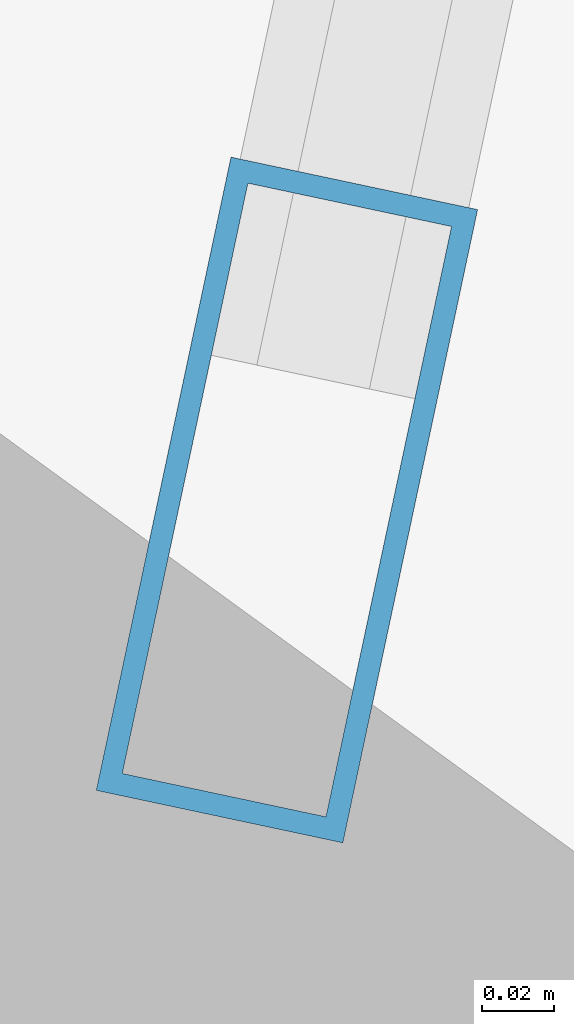
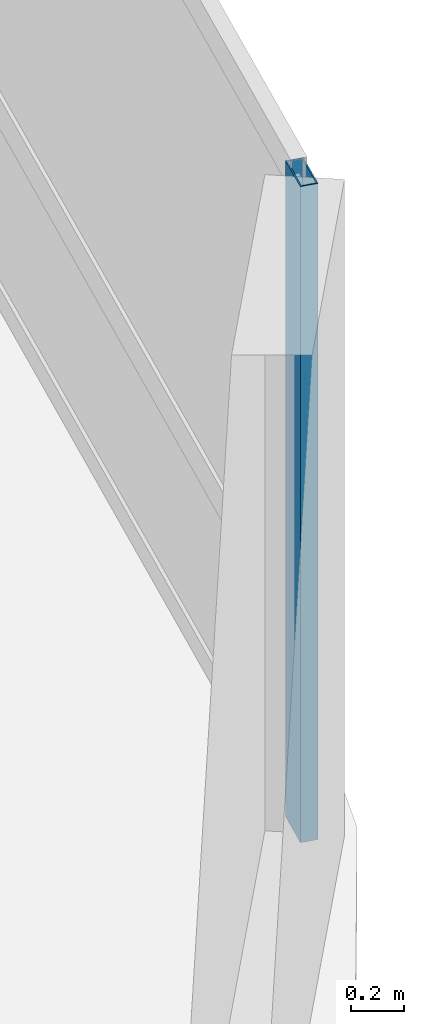
# One storey, part 8 of 17: 1 member, 1 element without a shape of its own.
"""IFC4 building model written with IfcOpenShell, lengths in metres."""

from ifc_helpers import new_model, si_unit, direction, frame, origin, origin_2d, place, context, subcontext, project, spatial, hollow_rectangle, extrude, material, layer, layer_set, material_profile, profile_set, type_object, element, aggregate, save


model = new_model("IFC4")

# Units and contexts
model_context = context("Model", 3, precision=1e-05, world=origin(), true_north=direction((0.0, 1.0)))
body_context = subcontext(model_context, "Body", "Model", "MODEL_VIEW")
ifc_project = project(units=[si_unit("LENGTHUNIT", "METRE"), si_unit("AREAUNIT", "SQUARE_METRE"), si_unit("VOLUMEUNIT", "CUBIC_METRE"), si_unit("PLANEANGLEUNIT", "RADIAN"), si_unit("MASSUNIT", "GRAM", prefix="KILO"), si_unit("THERMODYNAMICTEMPERATUREUNIT", "KELVIN"), si_unit("POWERUNIT", "WATT")], contexts=[model_context])

# Site, building, storey
site_placement = place(None, origin())
site = spatial("IfcSite", under=ifc_project, at=site_placement, CompositionType="ELEMENT")
building_placement = place(site_placement, origin())
building = spatial("IfcBuilding", under=site, at=building_placement, Name="Ocrelia Relay Tower", CompositionType="ELEMENT")
storey_placement = place(building_placement, frame((0.0, 0.0, 34.199951171875)))
storey = spatial("IfcBuildingStorey", under=building, at=storey_placement, Name="L07", CompositionType="ELEMENT", Elevation=34.199951171875)

# Curtain wall, member
ifc_material_1 = material(Name="Aluminium and solar-control low-E glass", Category="aluminium")
ifc_layer = layer(ifc_material_1, 0.179931640625, Name="Aluminium and solar-control low-E glass")
ifc_layer_set = layer_set([ifc_layer], Name="Aluminium and solar-control low-E glass")
curtain_wall_type = type_object("IfcCurtainWallType", Name="CW-SYS-Z1-DATA", PredefinedType="NOTDEFINED", material=ifc_layer_set)
curtain_wall_placement = place(storey_placement, origin())
curtain_wall = element("IfcCurtainWall", 1, at=curtain_wall_placement, inside=storey, type_object=curtain_wall_type, Name="L07 Elliptical Tower Curtain Wall Bay 18", PredefinedType="NOTDEFINED")
ifc_material_2 = material(Name="Anodised bronze aluminium", Category="aluminium")
ifc_material_profile = material_profile(ifc_material_2, hollow_rectangle(XDim=0.070068359375, YDim=0.179931640625, WallThickness=0.006103515625, at=origin_2d()), Name="CW-MUL-180x70")
ifc_profile_set = profile_set([ifc_material_profile], Name="Anodised bronze aluminium")
member_type = type_object("IfcMemberType", Name="CW-SYS-Z1-DATA-MUL", PredefinedType="MULLION", material=ifc_profile_set)
member_placement = place(storey_placement, frame((60.247802734375, 19.183349609375, 0.0), z_axis=(0.0, 0.0, 1.0), x_axis=(-0.978108709763, 0.208094574378, 0.0)))
member = element("IfcMember", 2, at=member_placement, type_object=member_type, Name="CW-Z1 mullion 1", PredefinedType="MULLION", context=body_context, shape_type="SweptSolid", body=[
    extrude(hollow_rectangle(XDim=0.070068359375, YDim=0.179931640625, WallThickness=0.006103515625, at=origin_2d()), origin(), (0.0, 0.0, 1.0), 3.0),
])
aggregate(curtain_wall, [member])

save(model, "model.ifc")
